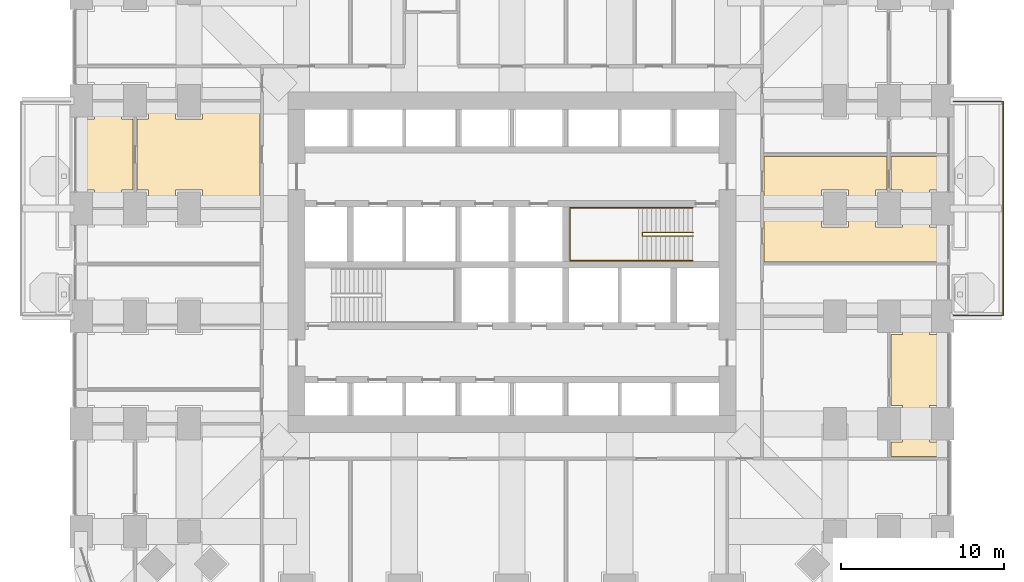
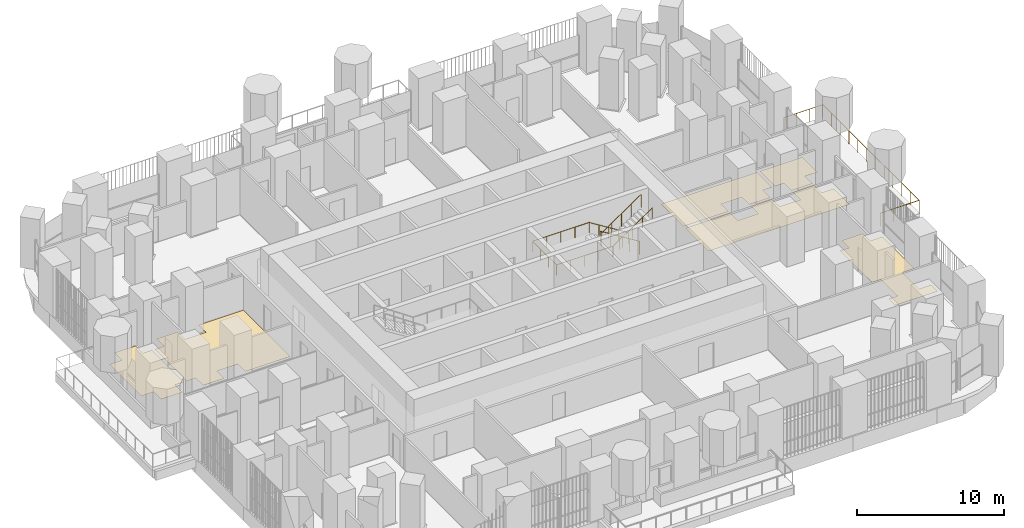
# One storey, part 23 of 25: 6 coverings, 3 railings.
"""IFC4 building model written with IfcOpenShell, lengths in metres."""

from ifc_helpers import new_model, si_unit, direction, frame, origin, place, context, subcontext, project, spatial, polyline, outline, extrude, material, layer, layer_set, type_object, element, save


model = new_model("IFC4")

# Units and contexts
model_context = context("Model", 3, precision=1e-05, world=origin(), true_north=direction((0.0, 1.0)))
body_context = subcontext(model_context, "Body", "Model", "MODEL_VIEW")
ifc_project = project(units=[si_unit("LENGTHUNIT", "METRE"), si_unit("AREAUNIT", "SQUARE_METRE"), si_unit("VOLUMEUNIT", "CUBIC_METRE"), si_unit("PLANEANGLEUNIT", "RADIAN"), si_unit("MASSUNIT", "GRAM", prefix="KILO")], contexts=[model_context])

# Site, building, storey
site_placement = place(None, origin())
site = spatial("IfcSite", under=ifc_project, at=site_placement, CompositionType="ELEMENT")
building_placement = place(site_placement, origin())
building = spatial("IfcBuilding", under=site, at=building_placement, Name="Cobogo Forest Laboratory Tower", CompositionType="ELEMENT")
storey_placement = place(building_placement, frame((0.0, 0.0, 67.5)))
storey = spatial("IfcBuildingStorey", under=building, at=storey_placement, Name="L15", CompositionType="ELEMENT", Elevation=67.5)

# Railing
ifc_material_1 = material(Name="Laminated glass balustrade", Category="glass")
railing_type_1 = type_object("IfcRailingType", Name="BG1 glass balustrade 1100", PredefinedType="GUARDRAIL", material=ifc_material_1)
railing_1_placement = place(storey_placement, frame((53.449951171875, 19.85009765625, 0.0)))
element("IfcRailing", 1, at=railing_1_placement, inside=storey, type_object=railing_type_1, Name="Balcony balustrade BAL-E1 L15", PredefinedType="GUARDRAIL", context=body_context, shape_type="SweptSolid", body=[
    extrude(outline(polyline([(0.022216796875, 0.00927734375), (0.00927734375, 0.022216796875), (-0.00927734375, 0.022216796875), (-0.022216796875, 0.00927734375), (-0.022216796875, -0.00927734375), (-0.00927734375, -0.022216796875), (0.00927734375, -0.022216796875), (0.022216796875, -0.00927734375), (0.022216796875, 0.00927734375)])), frame((0.0, 0.0, 1.077880859375), z_axis=(1.0, 0.0, 0.0), x_axis=(0.0, 1.0, 0.0)), (0.0, 0.0, 1.0), 3.050048828125),
    extrude(outline(polyline([(0.022216796875, 0.00927734375), (0.00927734375, 0.022216796875), (-0.00927734375, 0.022216796875), (-0.022216796875, 0.00927734375), (-0.022216796875, -0.00927734375), (-0.00927734375, -0.022216796875), (0.00927734375, -0.022216796875), (0.022216796875, -0.00927734375), (0.022216796875, 0.00927734375)])), frame((3.050048828125, 0.0, 1.077880859375), z_axis=(0.0, 1.0, 0.0), x_axis=(-1.0, 0.0, 0.0)), (0.0, 0.0, 1.0), 13.099853515625),
    extrude(outline(polyline([(0.022216796875, 0.00927734375), (0.00927734375, 0.022216796875), (-0.00927734375, 0.022216796875), (-0.022216796875, 0.00927734375), (-0.022216796875, -0.00927734375), (-0.00927734375, -0.022216796875), (0.00927734375, -0.022216796875), (0.022216796875, -0.00927734375), (0.022216796875, 0.00927734375)])), frame((3.050048828125, 13.099853515625, 1.077880859375), z_axis=(-1.0, 0.0, 0.0), x_axis=(0.0, -1.0, 0.0)), (0.0, 0.0, 1.0), 3.050048828125),
    extrude(outline(polyline([(0.019287109375, 0.008056640625), (0.008056640625, 0.019287109375), (-0.008056640625, 0.019287109375), (-0.019287109375, 0.008056640625), (-0.019287109375, -0.008056640625), (-0.008056640625, -0.019287109375), (0.008056640625, -0.019287109375), (0.019287109375, -0.008056640625), (0.019287109375, 0.008056640625)])), origin(), (0.0, 0.0, 1.0), 1.077880859375),
    extrude(outline(polyline([(0.019287109375, 0.008056640625), (0.008056640625, 0.019287109375), (-0.008056640625, 0.019287109375), (-0.019287109375, 0.008056640625), (-0.019287109375, -0.008056640625), (-0.008056640625, -0.019287109375), (0.008056640625, -0.019287109375), (0.019287109375, -0.008056640625), (0.019287109375, 0.008056640625)])), frame((1.0166015625, 0.0, 0.0)), (0.0, 0.0, 1.0), 1.077880859375),
    extrude(outline(polyline([(0.019287109375, 0.008056640625), (0.008056640625, 0.019287109375), (-0.008056640625, 0.019287109375), (-0.019287109375, 0.008056640625), (-0.019287109375, -0.008056640625), (-0.008056640625, -0.019287109375), (0.008056640625, -0.019287109375), (0.019287109375, -0.008056640625), (0.019287109375, 0.008056640625)])), frame((2.033447265625, 0.0, 0.0)), (0.0, 0.0, 1.0), 1.077880859375),
    extrude(outline(polyline([(0.019287109375, 0.008056640625), (0.008056640625, 0.019287109375), (-0.008056640625, 0.019287109375), (-0.019287109375, 0.008056640625), (-0.019287109375, -0.008056640625), (-0.008056640625, -0.019287109375), (0.008056640625, -0.019287109375), (0.019287109375, -0.008056640625), (0.019287109375, 0.008056640625)])), frame((3.050048828125, 0.0, 0.0)), (0.0, 0.0, 1.0), 1.077880859375),
    extrude(outline(polyline([(0.019287109375, 0.008056640625), (0.008056640625, 0.019287109375), (-0.008056640625, 0.019287109375), (-0.019287109375, 0.008056640625), (-0.019287109375, -0.008056640625), (-0.008056640625, -0.019287109375), (0.008056640625, -0.019287109375), (0.019287109375, -0.008056640625), (0.019287109375, 0.008056640625)])), frame((3.050048828125, 1.19091796875, 0.0)), (0.0, 0.0, 1.0), 1.077880859375),
    extrude(outline(polyline([(0.019287109375, 0.008056640625), (0.008056640625, 0.019287109375), (-0.008056640625, 0.019287109375), (-0.019287109375, 0.008056640625), (-0.019287109375, -0.008056640625), (-0.008056640625, -0.019287109375), (0.008056640625, -0.019287109375), (0.019287109375, -0.008056640625), (0.019287109375, 0.008056640625)])), frame((3.050048828125, 2.3818359375, 0.0)), (0.0, 0.0, 1.0), 1.077880859375),
    extrude(outline(polyline([(0.019287109375, 0.008056640625), (0.008056640625, 0.019287109375), (-0.008056640625, 0.019287109375), (-0.019287109375, 0.008056640625), (-0.019287109375, -0.008056640625), (-0.008056640625, -0.019287109375), (0.008056640625, -0.019287109375), (0.019287109375, -0.008056640625), (0.019287109375, 0.008056640625)])), frame((3.050048828125, 3.57275390625, 0.0)), (0.0, 0.0, 1.0), 1.077880859375),
    extrude(outline(polyline([(0.019287109375, 0.008056640625), (0.008056640625, 0.019287109375), (-0.008056640625, 0.019287109375), (-0.019287109375, 0.008056640625), (-0.019287109375, -0.008056640625), (-0.008056640625, -0.019287109375), (0.008056640625, -0.019287109375), (0.019287109375, -0.008056640625), (0.019287109375, 0.008056640625)])), frame((3.050048828125, 4.763671875, 0.0)), (0.0, 0.0, 1.0), 1.077880859375),
    extrude(outline(polyline([(0.019287109375, 0.008056640625), (0.008056640625, 0.019287109375), (-0.008056640625, 0.019287109375), (-0.019287109375, 0.008056640625), (-0.019287109375, -0.008056640625), (-0.008056640625, -0.019287109375), (0.008056640625, -0.019287109375), (0.019287109375, -0.008056640625), (0.019287109375, 0.008056640625)])), frame((3.050048828125, 5.95458984375, 0.0)), (0.0, 0.0, 1.0), 1.077880859375),
    extrude(outline(polyline([(0.019287109375, 0.008056640625), (0.008056640625, 0.019287109375), (-0.008056640625, 0.019287109375), (-0.019287109375, 0.008056640625), (-0.019287109375, -0.008056640625), (-0.008056640625, -0.019287109375), (0.008056640625, -0.019287109375), (0.019287109375, -0.008056640625), (0.019287109375, 0.008056640625)])), frame((3.050048828125, 7.145263671875, 0.0)), (0.0, 0.0, 1.0), 1.077880859375),
    extrude(outline(polyline([(0.019287109375, 0.008056640625), (0.008056640625, 0.019287109375), (-0.008056640625, 0.019287109375), (-0.019287109375, 0.008056640625), (-0.019287109375, -0.008056640625), (-0.008056640625, -0.019287109375), (0.008056640625, -0.019287109375), (0.019287109375, -0.008056640625), (0.019287109375, 0.008056640625)])), frame((3.050048828125, 8.336181640625, 0.0)), (0.0, 0.0, 1.0), 1.077880859375),
    extrude(outline(polyline([(0.019287109375, 0.008056640625), (0.008056640625, 0.019287109375), (-0.008056640625, 0.019287109375), (-0.019287109375, 0.008056640625), (-0.019287109375, -0.008056640625), (-0.008056640625, -0.019287109375), (0.008056640625, -0.019287109375), (0.019287109375, -0.008056640625), (0.019287109375, 0.008056640625)])), frame((3.050048828125, 9.527099609375, 0.0)), (0.0, 0.0, 1.0), 1.077880859375),
    extrude(outline(polyline([(0.019287109375, 0.008056640625), (0.008056640625, 0.019287109375), (-0.008056640625, 0.019287109375), (-0.019287109375, 0.008056640625), (-0.019287109375, -0.008056640625), (-0.008056640625, -0.019287109375), (0.008056640625, -0.019287109375), (0.019287109375, -0.008056640625), (0.019287109375, 0.008056640625)])), frame((3.050048828125, 10.718017578125, 0.0)), (0.0, 0.0, 1.0), 1.077880859375),
    extrude(outline(polyline([(0.019287109375, 0.008056640625), (0.008056640625, 0.019287109375), (-0.008056640625, 0.019287109375), (-0.019287109375, 0.008056640625), (-0.019287109375, -0.008056640625), (-0.008056640625, -0.019287109375), (0.008056640625, -0.019287109375), (0.019287109375, -0.008056640625), (0.019287109375, 0.008056640625)])), frame((3.050048828125, 11.908935546875, 0.0)), (0.0, 0.0, 1.0), 1.077880859375),
    extrude(outline(polyline([(0.019287109375, 0.008056640625), (0.008056640625, 0.019287109375), (-0.008056640625, 0.019287109375), (-0.019287109375, 0.008056640625), (-0.019287109375, -0.008056640625), (-0.008056640625, -0.019287109375), (0.008056640625, -0.019287109375), (0.019287109375, -0.008056640625), (0.019287109375, 0.008056640625)])), frame((3.050048828125, 13.099853515625, 0.0)), (0.0, 0.0, 1.0), 1.077880859375),
    extrude(outline(polyline([(0.019287109375, 0.008056640625), (0.008056640625, 0.019287109375), (-0.008056640625, 0.019287109375), (-0.019287109375, 0.008056640625), (-0.019287109375, -0.008056640625), (-0.008056640625, -0.019287109375), (0.008056640625, -0.019287109375), (0.019287109375, -0.008056640625), (0.019287109375, 0.008056640625)])), frame((2.033447265625, 13.099853515625, 0.0)), (0.0, 0.0, 1.0), 1.077880859375),
    extrude(outline(polyline([(0.019287109375, 0.008056640625), (0.008056640625, 0.019287109375), (-0.008056640625, 0.019287109375), (-0.019287109375, 0.008056640625), (-0.019287109375, -0.008056640625), (-0.008056640625, -0.019287109375), (0.008056640625, -0.019287109375), (0.019287109375, -0.008056640625), (0.019287109375, 0.008056640625)])), frame((1.0166015625, 13.099853515625, 0.0)), (0.0, 0.0, 1.0), 1.077880859375),
    extrude(outline(polyline([(0.019287109375, 0.008056640625), (0.008056640625, 0.019287109375), (-0.008056640625, 0.019287109375), (-0.019287109375, 0.008056640625), (-0.019287109375, -0.008056640625), (-0.008056640625, -0.019287109375), (0.008056640625, -0.019287109375), (0.019287109375, -0.008056640625), (0.019287109375, 0.008056640625)])), frame((0.0, 13.099853515625, 0.0)), (0.0, 0.0, 1.0), 1.077880859375),
])

# Coverings
ifc_material_2 = material(Name="Carpet tile on raised access floor", Category="flooring")
ifc_layer_1 = layer(ifc_material_2, 0.008056640625)
ifc_layer_set_1 = layer_set([ifc_layer_1], Name="CT1 carpet tile floor 8")
covering_type_1 = type_object("IfcCoveringType", Name="CT1 carpet tile floor 8", PredefinedType="FLOORING", material=ifc_layer_set_1)
covering_1_placement = place(storey_placement, origin())
element("IfcCovering", 2, at=covering_1_placement, inside=storey, type_object=covering_type_1, Name="Carpet floor L15-10", PredefinedType="FLOORING", context=body_context, shape_type="SweptSolid", body=[
    extrude(outline(polyline([(49.6201171875, 12.080078125), (50.320068359375, 12.080078125), (50.320068359375, 14.320068359375), (49.6201171875, 14.320068359375), (49.6201171875, 18.679931640625), (50.320068359375, 18.679931640625), (50.320068359375, 19.679931640625), (51.97998046875, 19.679931640625), (51.97998046875, 18.679931640625), (52.949951171875, 18.679931640625), (52.949951171875, 14.320068359375), (51.97998046875, 14.320068359375), (51.97998046875, 12.080078125), (52.949951171875, 12.080078125), (52.949951171875, 11.195068359375), (49.6201171875, 11.195068359375), (49.6201171875, 12.080078125)])), origin(), (0.0, 0.0, 1.0), 0.008056640625),
])
covering_2_placement = place(storey_placement, origin())
element("IfcCovering", 3, at=covering_2_placement, inside=storey, type_object=covering_type_1, Name="Carpet floor L15-14", PredefinedType="FLOORING", context=body_context, shape_type="SweptSolid", body=[
    extrude(outline(polyline([(49.6201171875, 29.580078125), (52.949951171875, 29.580078125), (52.949951171875, 27.52001953125), (51.97998046875, 27.52001953125), (51.97998046875, 26.52001953125), (50.320068359375, 26.52001953125), (50.320068359375, 27.52001953125), (49.6201171875, 27.52001953125), (49.6201171875, 29.580078125)])), origin(), (0.0, 0.0, 1.0), 0.008056640625),
])
covering_3_placement = place(storey_placement, origin())
element("IfcCovering", 4, at=covering_3_placement, inside=storey, type_object=covering_type_1, Name="Carpet floor L15-38", PredefinedType="FLOORING", context=body_context, shape_type="SweptSolid", body=[
    extrude(outline(polyline([(3.179931640625, 27.52001953125), (2.47998046875, 27.52001953125), (2.47998046875, 26.52001953125), (0.820068359375, 26.52001953125), (0.820068359375, 27.52001953125), (-0.14990234375, 27.52001953125), (-0.14990234375, 31.8798828125), (0.820068359375, 31.8798828125), (0.820068359375, 32.8798828125), (2.47998046875, 32.8798828125), (2.47998046875, 31.8798828125), (3.179931640625, 31.8798828125), (3.179931640625, 27.52001953125)])), origin(), (0.0, 0.0, 1.0), 0.008056640625),
])

# Railings
ifc_material_3 = material(Name="Steel balustrade", Category="steel")
railing_type_2 = type_object("IfcRailingType", Name="GR stair guard 1100", PredefinedType="GUARDRAIL", material=ifc_material_3)
railing_2_placement = place(storey_placement, frame((37.47509765625, 24.929931640625, 0.175048828125)))
element("IfcRailing", 5, at=railing_2_placement, inside=storey, type_object=railing_type_2, Name="Stair guard ST2 L15", PredefinedType="GUARDRAIL", context=body_context, shape_type="SweptSolid", body=[
    extrude(outline(polyline([(0.022216796875, 0.00927734375), (0.00927734375, 0.022216796875), (-0.00927734375, 0.022216796875), (-0.022216796875, 0.00927734375), (-0.022216796875, -0.00927734375), (-0.00927734375, -0.022216796875), (0.00927734375, -0.022216796875), (0.022216796875, -0.00927734375), (0.022216796875, 0.00927734375)])), frame((0.0, 0.0, 1.077880859375), z_axis=(-0.847998304005, 0.0, 0.529998940003), x_axis=(0.0, -1.0, 0.0)), (0.0, 0.0, 1.0), 3.632080078125),
    extrude(outline(polyline([(0.022216796875, 0.00927734375), (0.00927734375, 0.022216796875), (-0.00927734375, 0.022216796875), (-0.022216796875, 0.00927734375), (-0.022216796875, -0.00927734375), (-0.00927734375, -0.022216796875), (0.00927734375, -0.022216796875), (0.022216796875, -0.00927734375), (0.022216796875, 0.00927734375)])), frame((-3.080078125, 0.0, 3.0029296875), z_axis=(0.0, -1.0, 0.0), x_axis=(1.0, 0.0, 0.0)), (0.0, 0.0, 1.0), 0.2099609375),
    extrude(outline(polyline([(0.022216796875, 0.00927734375), (0.00927734375, 0.022216796875), (-0.00927734375, 0.022216796875), (-0.022216796875, 0.00927734375), (-0.022216796875, -0.00927734375), (-0.00927734375, -0.022216796875), (0.00927734375, -0.022216796875), (0.022216796875, -0.00927734375), (0.022216796875, 0.00927734375)])), frame((-3.080078125, -0.2099609375, 3.0029296875), z_axis=(0.826252282691, 0.0, 0.563300244406), x_axis=(0.0, 1.0, 0.0)), (0.0, 0.0, 1.0), 3.727783203125),
    extrude(outline(polyline([(0.019287109375, 0.008056640625), (0.008056640625, 0.019287109375), (-0.008056640625, 0.019287109375), (-0.019287109375, 0.008056640625), (-0.019287109375, -0.008056640625), (-0.008056640625, -0.019287109375), (0.008056640625, -0.019287109375), (0.019287109375, -0.008056640625), (0.019287109375, 0.008056640625)])), origin(), (0.0, 0.0, 1.0), 1.077880859375),
    extrude(outline(polyline([(0.019287109375, 0.008056640625), (0.008056640625, 0.019287109375), (-0.008056640625, 0.019287109375), (-0.019287109375, 0.008056640625), (-0.019287109375, -0.008056640625), (-0.008056640625, -0.019287109375), (0.008056640625, -0.019287109375), (0.019287109375, -0.008056640625), (0.019287109375, 0.008056640625)])), frame((-0.77001953125, 0.0, 0.481201171875)), (0.0, 0.0, 1.0), 1.077880859375),
    extrude(outline(polyline([(0.019287109375, 0.008056640625), (0.008056640625, 0.019287109375), (-0.008056640625, 0.019287109375), (-0.019287109375, 0.008056640625), (-0.019287109375, -0.008056640625), (-0.008056640625, -0.019287109375), (0.008056640625, -0.019287109375), (0.019287109375, -0.008056640625), (0.019287109375, 0.008056640625)])), frame((-1.5400390625, 0.0, 0.96240234375)), (0.0, 0.0, 1.0), 1.077880859375),
    extrude(outline(polyline([(0.019287109375, 0.008056640625), (0.008056640625, 0.019287109375), (-0.008056640625, 0.019287109375), (-0.019287109375, 0.008056640625), (-0.019287109375, -0.008056640625), (-0.008056640625, -0.019287109375), (0.008056640625, -0.019287109375), (0.019287109375, -0.008056640625), (0.019287109375, 0.008056640625)])), frame((-2.31005859375, 0.0, 1.44384765625)), (0.0, 0.0, 1.0), 1.077880859375),
    extrude(outline(polyline([(0.019287109375, 0.008056640625), (0.008056640625, 0.019287109375), (-0.008056640625, 0.019287109375), (-0.019287109375, 0.008056640625), (-0.019287109375, -0.008056640625), (-0.008056640625, -0.019287109375), (0.008056640625, -0.019287109375), (0.019287109375, -0.008056640625), (0.019287109375, 0.008056640625)])), frame((-3.080078125, 0.0, 1.925048828125)), (0.0, 0.0, 1.0), 1.077880859375),
    extrude(outline(polyline([(0.019287109375, 0.008056640625), (0.008056640625, 0.019287109375), (-0.008056640625, 0.019287109375), (-0.019287109375, 0.008056640625), (-0.019287109375, -0.008056640625), (-0.008056640625, -0.019287109375), (0.008056640625, -0.019287109375), (0.019287109375, -0.008056640625), (0.019287109375, 0.008056640625)])), frame((-3.080078125, -0.2099609375, 1.925048828125)), (0.0, 0.0, 1.0), 1.077880859375),
    extrude(outline(polyline([(0.019287109375, 0.008056640625), (0.008056640625, 0.019287109375), (-0.008056640625, 0.019287109375), (-0.019287109375, 0.008056640625), (-0.019287109375, -0.008056640625), (-0.008056640625, -0.019287109375), (0.008056640625, -0.019287109375), (0.019287109375, -0.008056640625), (0.019287109375, 0.008056640625)])), frame((-2.31005859375, -0.2099609375, 2.449951171875)), (0.0, 0.0, 1.0), 1.077880859375),
    extrude(outline(polyline([(0.019287109375, 0.008056640625), (0.008056640625, 0.019287109375), (-0.008056640625, 0.019287109375), (-0.019287109375, 0.008056640625), (-0.019287109375, -0.008056640625), (-0.008056640625, -0.019287109375), (0.008056640625, -0.019287109375), (0.019287109375, -0.008056640625), (0.019287109375, 0.008056640625)])), frame((-1.5400390625, -0.2099609375, 2.97509765625)), (0.0, 0.0, 1.0), 1.077880859375),
    extrude(outline(polyline([(0.019287109375, 0.008056640625), (0.008056640625, 0.019287109375), (-0.008056640625, 0.019287109375), (-0.019287109375, 0.008056640625), (-0.019287109375, -0.008056640625), (-0.008056640625, -0.019287109375), (0.008056640625, -0.019287109375), (0.019287109375, -0.008056640625), (0.019287109375, 0.008056640625)])), frame((-0.77001953125, -0.2099609375, 3.5)), (0.0, 0.0, 1.0), 1.077880859375),
    extrude(outline(polyline([(0.019287109375, 0.008056640625), (0.008056640625, 0.019287109375), (-0.008056640625, 0.019287109375), (-0.019287109375, 0.008056640625), (-0.019287109375, -0.008056640625), (-0.008056640625, -0.019287109375), (0.008056640625, -0.019287109375), (0.019287109375, -0.008056640625), (0.019287109375, 0.008056640625)])), frame((0.0, -0.2099609375, 4.02490234375)), (0.0, 0.0, 1.0), 1.077880859375),
])
ifc_material_4 = material(Name="Stainless steel handrail", Category="steel")
railing_type_3 = type_object("IfcRailingType", Name="HR handrail 900", PredefinedType="HANDRAIL", material=ifc_material_4)
railing_3_placement = place(storey_placement, frame((37.47509765625, 26.449951171875, 0.175048828125)))
element("IfcRailing", 6, at=railing_3_placement, inside=storey, type_object=railing_type_3, Name="Stair handrail ST2 L15", PredefinedType="HANDRAIL", context=body_context, shape_type="SweptSolid", body=[
    extrude(outline(polyline([(0.022216796875, 0.00927734375), (0.00927734375, 0.022216796875), (-0.00927734375, 0.022216796875), (-0.022216796875, 0.00927734375), (-0.022216796875, -0.00927734375), (-0.00927734375, -0.022216796875), (0.00927734375, -0.022216796875), (0.022216796875, -0.00927734375), (0.022216796875, 0.00927734375)])), frame((0.0, 0.0, 0.877685546875), z_axis=(-0.847998304005, 0.0, 0.529998940003), x_axis=(0.0, -1.0, 0.0)), (0.0, 0.0, 1.0), 3.632080078125),
    extrude(outline(polyline([(0.022216796875, 0.00927734375), (0.00927734375, 0.022216796875), (-0.00927734375, 0.022216796875), (-0.022216796875, 0.00927734375), (-0.022216796875, -0.00927734375), (-0.00927734375, -0.022216796875), (0.00927734375, -0.022216796875), (0.022216796875, -0.00927734375), (0.022216796875, 0.00927734375)])), frame((-3.080078125, 0.0, 2.802734375), z_axis=(-1.0, 0.0, 0.0), x_axis=(0.0, -1.0, 0.0)), (0.0, 0.0, 1.0), 4.445068359375),
    extrude(outline(polyline([(0.022216796875, 0.00927734375), (0.00927734375, 0.022216796875), (-0.00927734375, 0.022216796875), (-0.022216796875, 0.00927734375), (-0.022216796875, -0.00927734375), (-0.00927734375, -0.022216796875), (0.00927734375, -0.022216796875), (0.022216796875, -0.00927734375), (0.022216796875, 0.00927734375)])), frame((-7.525146484375, 0.0, 2.802734375), z_axis=(0.0, -1.0, 0.0), x_axis=(1.0, 0.0, 0.0)), (0.0, 0.0, 1.0), 3.25),
    extrude(outline(polyline([(0.022216796875, 0.00927734375), (0.00927734375, 0.022216796875), (-0.00927734375, 0.022216796875), (-0.022216796875, 0.00927734375), (-0.022216796875, -0.00927734375), (-0.00927734375, -0.022216796875), (0.00927734375, -0.022216796875), (0.022216796875, -0.00927734375), (0.022216796875, 0.00927734375)])), frame((-7.525146484375, -3.25, 2.802734375), z_axis=(1.0, 0.0, 0.0), x_axis=(0.0, 1.0, 0.0)), (0.0, 0.0, 1.0), 4.445068359375),
    extrude(outline(polyline([(0.022216796875, 0.00927734375), (0.00927734375, 0.022216796875), (-0.00927734375, 0.022216796875), (-0.022216796875, 0.00927734375), (-0.022216796875, -0.00927734375), (-0.00927734375, -0.022216796875), (0.00927734375, -0.022216796875), (0.022216796875, -0.00927734375), (0.022216796875, 0.00927734375)])), frame((-3.080078125, -3.25, 2.802734375), z_axis=(0.826252282691, 0.0, 0.563300244406), x_axis=(0.0, 1.0, 0.0)), (0.0, 0.0, 1.0), 3.727783203125),
    extrude(outline(polyline([(0.019287109375, 0.008056640625), (0.008056640625, 0.019287109375), (-0.008056640625, 0.019287109375), (-0.019287109375, 0.008056640625), (-0.019287109375, -0.008056640625), (-0.008056640625, -0.019287109375), (0.008056640625, -0.019287109375), (0.019287109375, -0.008056640625), (0.019287109375, 0.008056640625)])), origin(), (0.0, 0.0, 1.0), 0.877685546875),
    extrude(outline(polyline([(0.019287109375, 0.008056640625), (0.008056640625, 0.019287109375), (-0.008056640625, 0.019287109375), (-0.019287109375, 0.008056640625), (-0.019287109375, -0.008056640625), (-0.008056640625, -0.019287109375), (0.008056640625, -0.019287109375), (0.019287109375, -0.008056640625), (0.019287109375, 0.008056640625)])), frame((-0.77001953125, 0.0, 0.481201171875)), (0.0, 0.0, 1.0), 0.877685546875),
    extrude(outline(polyline([(0.019287109375, 0.008056640625), (0.008056640625, 0.019287109375), (-0.008056640625, 0.019287109375), (-0.019287109375, 0.008056640625), (-0.019287109375, -0.008056640625), (-0.008056640625, -0.019287109375), (0.008056640625, -0.019287109375), (0.019287109375, -0.008056640625), (0.019287109375, 0.008056640625)])), frame((-1.5400390625, 0.0, 0.96240234375)), (0.0, 0.0, 1.0), 0.877685546875),
    extrude(outline(polyline([(0.019287109375, 0.008056640625), (0.008056640625, 0.019287109375), (-0.008056640625, 0.019287109375), (-0.019287109375, 0.008056640625), (-0.019287109375, -0.008056640625), (-0.008056640625, -0.019287109375), (0.008056640625, -0.019287109375), (0.019287109375, -0.008056640625), (0.019287109375, 0.008056640625)])), frame((-2.31005859375, 0.0, 1.44384765625)), (0.0, 0.0, 1.0), 0.877685546875),
    extrude(outline(polyline([(0.019287109375, 0.008056640625), (0.008056640625, 0.019287109375), (-0.008056640625, 0.019287109375), (-0.019287109375, 0.008056640625), (-0.019287109375, -0.008056640625), (-0.008056640625, -0.019287109375), (0.008056640625, -0.019287109375), (0.019287109375, -0.008056640625), (0.019287109375, 0.008056640625)])), frame((-3.080078125, 0.0, 1.925048828125)), (0.0, 0.0, 1.0), 0.877685546875),
    extrude(outline(polyline([(0.019287109375, 0.008056640625), (0.008056640625, 0.019287109375), (-0.008056640625, 0.019287109375), (-0.019287109375, 0.008056640625), (-0.019287109375, -0.008056640625), (-0.008056640625, -0.019287109375), (0.008056640625, -0.019287109375), (0.019287109375, -0.008056640625), (0.019287109375, 0.008056640625)])), frame((-4.19140625, 0.0, 1.925048828125)), (0.0, 0.0, 1.0), 0.877685546875),
    extrude(outline(polyline([(0.019287109375, 0.008056640625), (0.008056640625, 0.019287109375), (-0.008056640625, 0.019287109375), (-0.019287109375, 0.008056640625), (-0.019287109375, -0.008056640625), (-0.008056640625, -0.019287109375), (0.008056640625, -0.019287109375), (0.019287109375, -0.008056640625), (0.019287109375, 0.008056640625)])), frame((-5.302734375, 0.0, 1.925048828125)), (0.0, 0.0, 1.0), 0.877685546875),
    extrude(outline(polyline([(0.019287109375, 0.008056640625), (0.008056640625, 0.019287109375), (-0.008056640625, 0.019287109375), (-0.019287109375, 0.008056640625), (-0.019287109375, -0.008056640625), (-0.008056640625, -0.019287109375), (0.008056640625, -0.019287109375), (0.019287109375, -0.008056640625), (0.019287109375, 0.008056640625)])), frame((-6.413818359375, 0.0, 1.925048828125)), (0.0, 0.0, 1.0), 0.877685546875),
    extrude(outline(polyline([(0.019287109375, 0.008056640625), (0.008056640625, 0.019287109375), (-0.008056640625, 0.019287109375), (-0.019287109375, 0.008056640625), (-0.019287109375, -0.008056640625), (-0.008056640625, -0.019287109375), (0.008056640625, -0.019287109375), (0.019287109375, -0.008056640625), (0.019287109375, 0.008056640625)])), frame((-7.525146484375, 0.0, 1.925048828125)), (0.0, 0.0, 1.0), 0.877685546875),
    extrude(outline(polyline([(0.019287109375, 0.008056640625), (0.008056640625, 0.019287109375), (-0.008056640625, 0.019287109375), (-0.019287109375, 0.008056640625), (-0.019287109375, -0.008056640625), (-0.008056640625, -0.019287109375), (0.008056640625, -0.019287109375), (0.019287109375, -0.008056640625), (0.019287109375, 0.008056640625)])), frame((-7.525146484375, -1.083251953125, 1.925048828125)), (0.0, 0.0, 1.0), 0.877685546875),
    extrude(outline(polyline([(0.019287109375, 0.008056640625), (0.008056640625, 0.019287109375), (-0.008056640625, 0.019287109375), (-0.019287109375, 0.008056640625), (-0.019287109375, -0.008056640625), (-0.008056640625, -0.019287109375), (0.008056640625, -0.019287109375), (0.019287109375, -0.008056640625), (0.019287109375, 0.008056640625)])), frame((-7.525146484375, -2.166748046875, 1.925048828125)), (0.0, 0.0, 1.0), 0.877685546875),
    extrude(outline(polyline([(0.019287109375, 0.008056640625), (0.008056640625, 0.019287109375), (-0.008056640625, 0.019287109375), (-0.019287109375, 0.008056640625), (-0.019287109375, -0.008056640625), (-0.008056640625, -0.019287109375), (0.008056640625, -0.019287109375), (0.019287109375, -0.008056640625), (0.019287109375, 0.008056640625)])), frame((-7.525146484375, -3.25, 1.925048828125)), (0.0, 0.0, 1.0), 0.877685546875),
    extrude(outline(polyline([(0.019287109375, 0.008056640625), (0.008056640625, 0.019287109375), (-0.008056640625, 0.019287109375), (-0.019287109375, 0.008056640625), (-0.019287109375, -0.008056640625), (-0.008056640625, -0.019287109375), (0.008056640625, -0.019287109375), (0.019287109375, -0.008056640625), (0.019287109375, 0.008056640625)])), frame((-6.413818359375, -3.25, 1.925048828125)), (0.0, 0.0, 1.0), 0.877685546875),
    extrude(outline(polyline([(0.019287109375, 0.008056640625), (0.008056640625, 0.019287109375), (-0.008056640625, 0.019287109375), (-0.019287109375, 0.008056640625), (-0.019287109375, -0.008056640625), (-0.008056640625, -0.019287109375), (0.008056640625, -0.019287109375), (0.019287109375, -0.008056640625), (0.019287109375, 0.008056640625)])), frame((-5.302734375, -3.25, 1.925048828125)), (0.0, 0.0, 1.0), 0.877685546875),
    extrude(outline(polyline([(0.019287109375, 0.008056640625), (0.008056640625, 0.019287109375), (-0.008056640625, 0.019287109375), (-0.019287109375, 0.008056640625), (-0.019287109375, -0.008056640625), (-0.008056640625, -0.019287109375), (0.008056640625, -0.019287109375), (0.019287109375, -0.008056640625), (0.019287109375, 0.008056640625)])), frame((-4.19140625, -3.25, 1.925048828125)), (0.0, 0.0, 1.0), 0.877685546875),
    extrude(outline(polyline([(0.019287109375, 0.008056640625), (0.008056640625, 0.019287109375), (-0.008056640625, 0.019287109375), (-0.019287109375, 0.008056640625), (-0.019287109375, -0.008056640625), (-0.008056640625, -0.019287109375), (0.008056640625, -0.019287109375), (0.019287109375, -0.008056640625), (0.019287109375, 0.008056640625)])), frame((-3.080078125, -3.25, 1.925048828125)), (0.0, 0.0, 1.0), 0.877685546875),
    extrude(outline(polyline([(0.019287109375, 0.008056640625), (0.008056640625, 0.019287109375), (-0.008056640625, 0.019287109375), (-0.019287109375, 0.008056640625), (-0.019287109375, -0.008056640625), (-0.008056640625, -0.019287109375), (0.008056640625, -0.019287109375), (0.019287109375, -0.008056640625), (0.019287109375, 0.008056640625)])), frame((-2.31005859375, -3.25, 2.449951171875)), (0.0, 0.0, 1.0), 0.877685546875),
    extrude(outline(polyline([(0.019287109375, 0.008056640625), (0.008056640625, 0.019287109375), (-0.008056640625, 0.019287109375), (-0.019287109375, 0.008056640625), (-0.019287109375, -0.008056640625), (-0.008056640625, -0.019287109375), (0.008056640625, -0.019287109375), (0.019287109375, -0.008056640625), (0.019287109375, 0.008056640625)])), frame((-1.5400390625, -3.25, 2.97509765625)), (0.0, 0.0, 1.0), 0.877685546875),
    extrude(outline(polyline([(0.019287109375, 0.008056640625), (0.008056640625, 0.019287109375), (-0.008056640625, 0.019287109375), (-0.019287109375, 0.008056640625), (-0.019287109375, -0.008056640625), (-0.008056640625, -0.019287109375), (0.008056640625, -0.019287109375), (0.019287109375, -0.008056640625), (0.019287109375, 0.008056640625)])), frame((-0.77001953125, -3.25, 3.5)), (0.0, 0.0, 1.0), 0.877685546875),
    extrude(outline(polyline([(0.019287109375, 0.008056640625), (0.008056640625, 0.019287109375), (-0.008056640625, 0.019287109375), (-0.019287109375, 0.008056640625), (-0.019287109375, -0.008056640625), (-0.008056640625, -0.019287109375), (0.008056640625, -0.019287109375), (0.019287109375, -0.008056640625), (0.019287109375, 0.008056640625)])), frame((0.0, -3.25, 4.02490234375)), (0.0, 0.0, 1.0), 0.877685546875),
])

# Coverings
ifc_material_5 = material(Name="Epoxy resin flooring", Category="flooring")
ifc_layer_2 = layer(ifc_material_5, 0.00390625)
ifc_layer_set_2 = layer_set([ifc_layer_2], Name="LF1 epoxy laboratory floor 4")
covering_type_2 = type_object("IfcCoveringType", Name="LF1 epoxy laboratory floor 4", PredefinedType="FLOORING", material=ifc_layer_set_2)
covering_4_placement = place(storey_placement, origin())
element("IfcCovering", 7, at=covering_4_placement, inside=storey, type_object=covering_type_2, Name="Epoxy laboratory floor L15-13", PredefinedType="FLOORING", context=body_context, shape_type="SweptSolid", body=[
    extrude(outline(polyline([(41.844970703125, 29.580078125), (49.3798828125, 29.580078125), (49.3798828125, 27.52001953125), (48.679931640625, 27.52001953125), (48.679931640625, 26.52001953125), (47.02001953125, 26.52001953125), (47.02001953125, 27.52001953125), (45.3798828125, 27.52001953125), (45.3798828125, 26.52001953125), (41.844970703125, 26.52001953125), (41.844970703125, 29.580078125)])), origin(), (0.0, 0.0, 1.0), 0.00390625),
])
covering_5_placement = place(storey_placement, origin())
element("IfcCovering", 8, at=covering_5_placement, inside=storey, type_object=covering_type_2, Name="Epoxy laboratory floor L15-37", PredefinedType="FLOORING", context=body_context, shape_type="SweptSolid", body=[
    extrude(outline(polyline([(3.419921875, 31.8798828125), (4.1201171875, 31.8798828125), (4.1201171875, 32.8798828125), (5.780029296875, 32.8798828125), (5.780029296875, 31.8798828125), (7.419921875, 31.8798828125), (7.419921875, 32.8798828125), (10.955078125, 32.8798828125), (10.955078125, 26.52001953125), (7.419921875, 26.52001953125), (7.419921875, 27.52001953125), (5.780029296875, 27.52001953125), (5.780029296875, 26.52001953125), (4.1201171875, 26.52001953125), (4.1201171875, 27.52001953125), (3.419921875, 27.52001953125), (3.419921875, 31.8798828125)])), origin(), (0.0, 0.0, 1.0), 0.00390625),
])
ifc_material_6 = material(Name="Static-dissipative vinyl flooring", Category="flooring")
ifc_layer_3 = layer(ifc_material_6, 0.0029296875)
ifc_layer_set_3 = layer_set([ifc_layer_3], Name="SD1 static-dissipative vinyl floor 3")
covering_type_3 = type_object("IfcCoveringType", Name="SD1 static-dissipative vinyl floor 3", PredefinedType="FLOORING", material=ifc_layer_set_3)
covering_6_placement = place(storey_placement, origin())
element("IfcCovering", 9, at=covering_6_placement, inside=storey, type_object=covering_type_3, Name="Static-dissipative floor L15-12", PredefinedType="FLOORING", context=body_context, shape_type="SweptSolid", body=[
    extrude(outline(polyline([(41.844970703125, 26.280029296875), (45.3798828125, 26.280029296875), (45.3798828125, 25.280029296875), (47.02001953125, 25.280029296875), (47.02001953125, 26.280029296875), (48.679931640625, 26.280029296875), (48.679931640625, 25.280029296875), (50.320068359375, 25.280029296875), (50.320068359375, 26.280029296875), (51.97998046875, 26.280029296875), (51.97998046875, 25.280029296875), (52.949951171875, 25.280029296875), (52.949951171875, 23.1201171875), (41.844970703125, 23.1201171875), (41.844970703125, 26.280029296875)])), origin(), (0.0, 0.0, 1.0), 0.0029296875),
])

save(model, "model.ifc")
